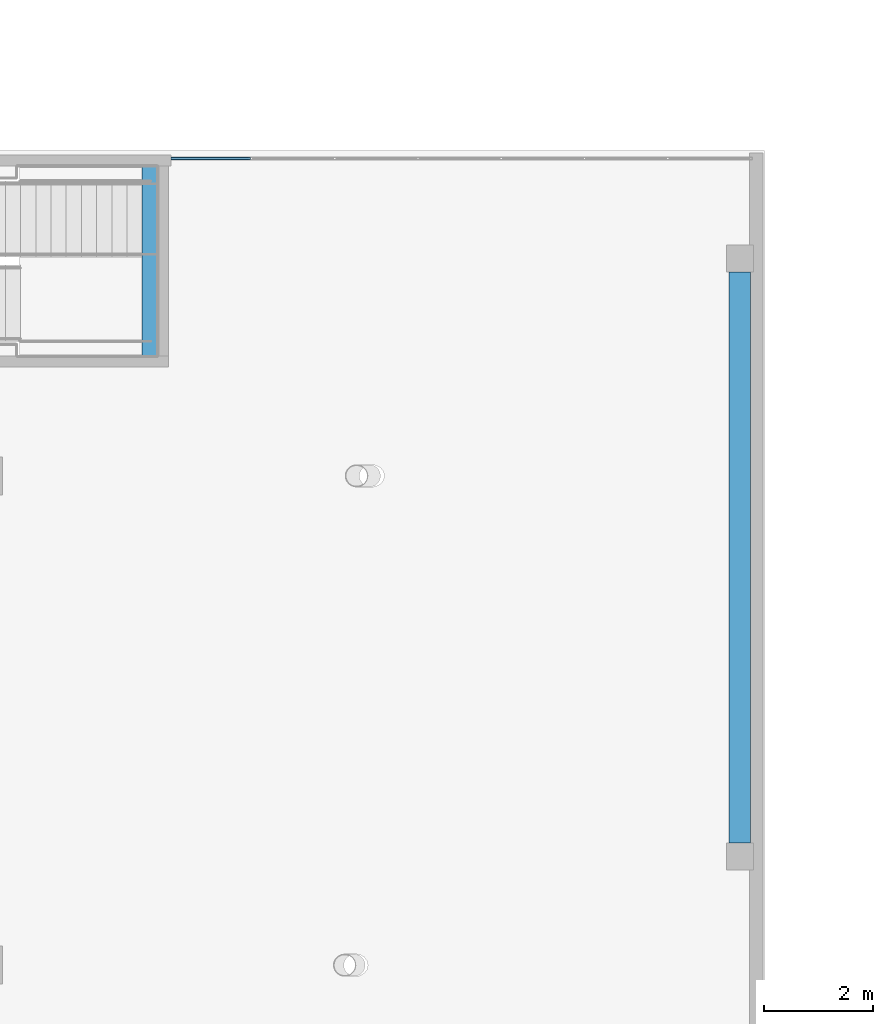
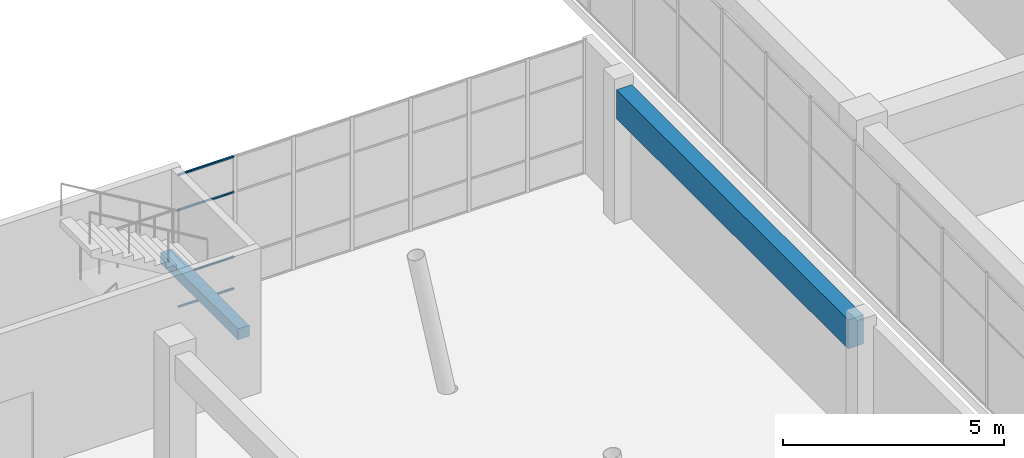
# One storey, part 23 of 65: 4 members, 2 beams, 1 element without a shape of its own.
"""IFC4 building model written with IfcOpenShell, lengths in metres."""

from ifc_helpers import new_model, si_unit, direction, frame, origin, origin_2d, place, context, subcontext, project, spatial, rectangle, hollow_rectangle, extrude, material, layer, layer_set, material_profile, profile_set, type_object, element, aggregate, save


model = new_model("IFC4")

# Units and contexts
model_context = context("Model", 3, precision=1e-05, world=origin(), true_north=direction((0.0, 1.0)))
body_context = subcontext(model_context, "Body", "Model", "MODEL_VIEW")
ifc_project = project(units=[si_unit("LENGTHUNIT", "METRE"), si_unit("AREAUNIT", "SQUARE_METRE"), si_unit("VOLUMEUNIT", "CUBIC_METRE"), si_unit("PLANEANGLEUNIT", "RADIAN"), si_unit("MASSUNIT", "GRAM", prefix="KILO")], contexts=[model_context])

# Site, building, storey
site_placement = place(None, origin())
site = spatial("IfcSite", under=ifc_project, at=site_placement, CompositionType="ELEMENT")
building_placement = place(site_placement, origin())
building = spatial("IfcBuilding", under=site, at=building_placement, Name="Tuart Plaza Theatre", CompositionType="ELEMENT")
storey_placement = place(building_placement, frame((0.0, 0.0, 9.5)))
storey = spatial("IfcBuildingStorey", under=building, at=storey_placement, Name="L02", CompositionType="ELEMENT", Elevation=9.5)

# Beams
ifc_material_1 = material(Name="Concrete N40 (40 MPa)", Category="concrete")
ifc_material_profile_1 = material_profile(ifc_material_1, rectangle(XDim=0.300048828125, YDim=0.300048828125, at=origin_2d()), Name="BEAM 300x300 Concrete N40 (40 MPa)")
ifc_profile_set_1 = profile_set([ifc_material_profile_1], Name="Concrete N40 (40 MPa)")
beam_type_1 = type_object("IfcBeamType", Name="BEAM 300x300 Concrete N40 (40 MPa)", PredefinedType="BEAM", material=ifc_profile_set_1)
beam_1_placement = place(storey_placement, frame((99.06005859375, 76.199951171875, 1.64990234375), z_axis=(0.0, 1.0, 0.0), x_axis=(-1.0, 0.0, 0.0)))
element("IfcBeam", 1, at=beam_1_placement, inside=storey, type_object=beam_type_1, Name="RB58", PredefinedType="BEAM", context=body_context, shape_type="SweptSolid", body=[
    extrude(rectangle(XDim=0.300048828125, YDim=0.300048828125, at=origin_2d()), origin(), (0.0, 0.0, 1.0), 3.5),
])
ifc_material_2 = material(Name="Concrete N40 (40 MPa)", Category="concrete")
ifc_material_profile_2 = material_profile(ifc_material_2, rectangle(XDim=0.39990234375, YDim=0.800048828125, at=origin_2d()), Name="BEAM 400x800 Concrete N40 (40 MPa)")
ifc_profile_set_2 = profile_set([ifc_material_profile_2], Name="Concrete N40 (40 MPa)")
beam_type_2 = type_object("IfcBeamType", Name="BEAM 400x800 Concrete N40 (40 MPa)", PredefinedType="BEAM", material=ifc_profile_set_2)
beam_2_placement = place(storey_placement, frame((109.909912109375, 77.75, 3.300048828125), z_axis=(0.0, -1.0, 0.0), x_axis=(1.0, 0.0, 0.0)))
element("IfcBeam", 2, at=beam_2_placement, inside=storey, type_object=beam_type_2, Name="RB479", PredefinedType="BEAM", context=body_context, shape_type="SweptSolid", body=[
    extrude(rectangle(XDim=0.39990234375, YDim=0.800048828125, at=origin_2d()), origin(), (0.0, 0.0, 1.0), 10.5),
])

# Curtain wall, members
ifc_material_3 = material(Name="Aluminium and glass", Category="aluminium")
ifc_layer = layer(ifc_material_3, 0.10009765625)
ifc_layer_set = layer_set([ifc_layer], Name="CURTAIN WALL 1500 module")
curtain_wall_type = type_object("IfcCurtainWallType", Name="CURTAIN WALL 1500 module", PredefinedType="NOTDEFINED", material=ifc_layer_set)
curtain_wall_placement = place(storey_placement, origin())
curtain_wall = element("IfcCurtainWall", 3, at=curtain_wall_placement, inside=storey, type_object=curtain_wall_type, Name="CW36", PredefinedType="NOTDEFINED")
ifc_material_4 = material(Name="Aluminium 6063-T5", Category="aluminium")
ifc_material_profile_3 = material_profile(ifc_material_4, hollow_rectangle(XDim=0.050048828125, YDim=0.050048828125, WallThickness=0.00390625, InnerFilletRadius=0.00390625, OuterFilletRadius=0.008056640625, at=origin_2d()), Name="RHS 50x50x4")
ifc_profile_set_3 = profile_set([ifc_material_profile_3], Name="Aluminium 6063-T5")
member_type = type_object("IfcMemberType", Name="TRANSOM RHS 50x50x4", PredefinedType="USERDEFINED", material=ifc_profile_set_3)
member_1_placement = place(storey_placement, frame((99.449951171875, 79.8369140625, 0.02490234375), z_axis=(1.0, 0.0, 0.0), x_axis=(0.0, 1.0, 0.0)))
member_1 = element("IfcMember", 4, at=member_1_placement, type_object=member_type, Name="CW36 transom 1.1", ObjectType="TRANSOM", PredefinedType="USERDEFINED", context=body_context, shape_type="SweptSolid", body=[
    extrude(hollow_rectangle(XDim=0.050048828125, YDim=0.050048828125, WallThickness=0.00390625, InnerFilletRadius=0.00390625, OuterFilletRadius=0.008056640625, at=origin_2d()), origin(), (0.0, 0.0, 1.0), 1.45556640625),
])
member_2_placement = place(storey_placement, frame((99.449951171875, 79.8369140625, 0.89990234375), z_axis=(1.0, 0.0, 0.0), x_axis=(0.0, 1.0, 0.0)))
member_2 = element("IfcMember", 5, at=member_2_placement, type_object=member_type, Name="CW36 transom 1.2", ObjectType="TRANSOM", PredefinedType="USERDEFINED", context=body_context, shape_type="SweptSolid", body=[
    extrude(hollow_rectangle(XDim=0.050048828125, YDim=0.050048828125, WallThickness=0.00390625, InnerFilletRadius=0.00390625, OuterFilletRadius=0.008056640625, at=origin_2d()), origin(), (0.0, 0.0, 1.0), 1.45556640625),
])
member_3_placement = place(storey_placement, frame((99.449951171875, 79.8369140625, 2.699951171875), z_axis=(1.0, 0.0, 0.0), x_axis=(0.0, 1.0, 0.0)))
member_3 = element("IfcMember", 6, at=member_3_placement, type_object=member_type, Name="CW36 transom 1.3", ObjectType="TRANSOM", PredefinedType="USERDEFINED", context=body_context, shape_type="SweptSolid", body=[
    extrude(hollow_rectangle(XDim=0.050048828125, YDim=0.050048828125, WallThickness=0.00390625, InnerFilletRadius=0.00390625, OuterFilletRadius=0.008056640625, at=origin_2d()), origin(), (0.0, 0.0, 1.0), 1.45556640625),
])
member_4_placement = place(storey_placement, frame((99.449951171875, 79.8369140625, 3.675048828125), z_axis=(1.0, 0.0, 0.0), x_axis=(0.0, 1.0, 0.0)))
member_4 = element("IfcMember", 7, at=member_4_placement, type_object=member_type, Name="CW36 transom 1.4", ObjectType="TRANSOM", PredefinedType="USERDEFINED", context=body_context, shape_type="SweptSolid", body=[
    extrude(hollow_rectangle(XDim=0.050048828125, YDim=0.050048828125, WallThickness=0.00390625, InnerFilletRadius=0.00390625, OuterFilletRadius=0.008056640625, at=origin_2d()), origin(), (0.0, 0.0, 1.0), 1.45556640625),
])
aggregate(curtain_wall, [member_1, member_2, member_3, member_4])

save(model, "model.ifc")
